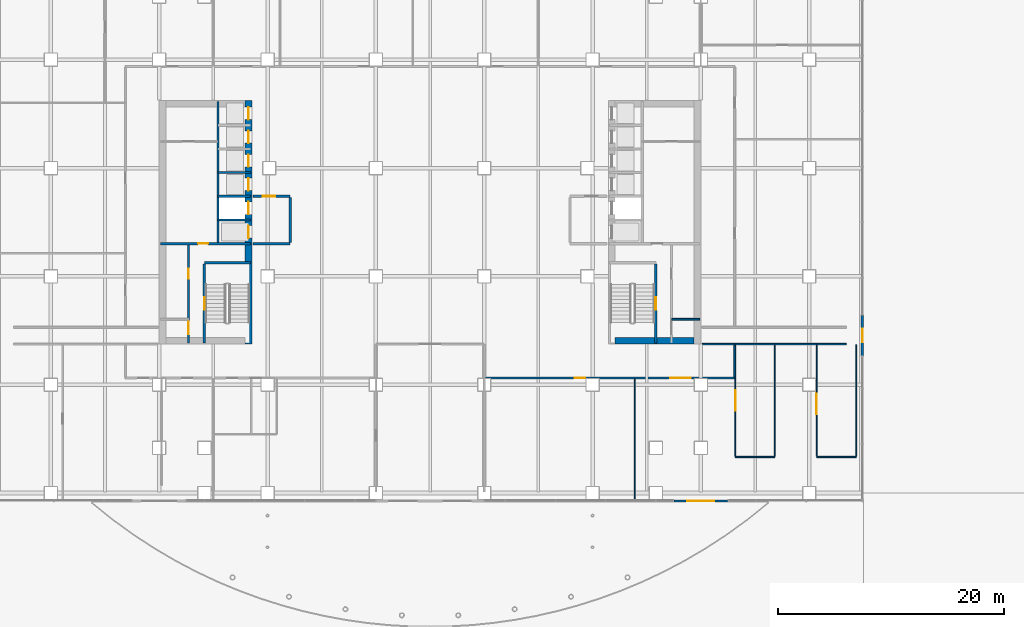
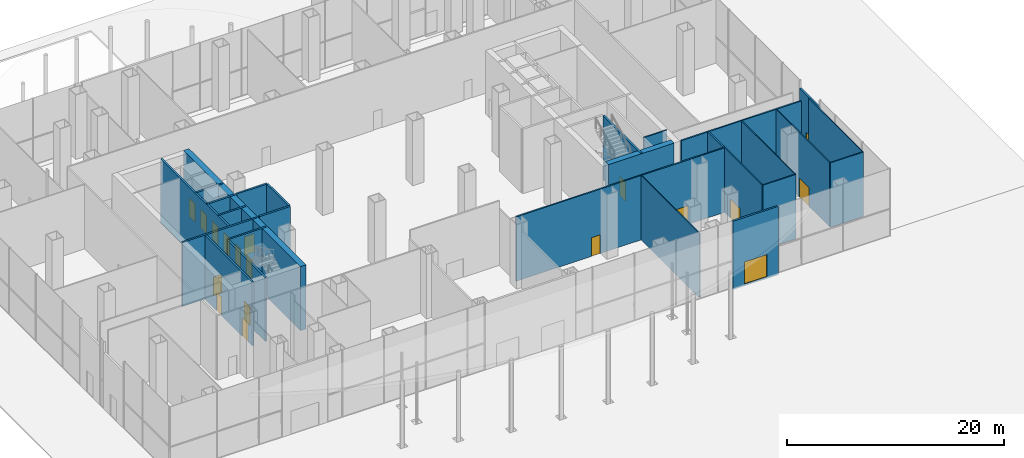
# One storey, part 27 of 36: 27 walls, 18 doors, 18 openings.
"""IFC4 building model written with IfcOpenShell, lengths in metres."""

from ifc_helpers import new_model, si_unit, direction, frame, frame_2d, origin, place, context, subcontext, project, spatial, rectangle, extrude, material, layer, layer_set, type_object, element, fill, save


model = new_model("IFC4")

# Units and contexts
model_context = context("Model", 3, precision=1e-05, world=origin(), true_north=direction((0.0, 1.0)))
body_context = subcontext(model_context, "Body", "Model", "MODEL_VIEW")
ifc_project = project(units=[si_unit("LENGTHUNIT", "METRE"), si_unit("AREAUNIT", "SQUARE_METRE"), si_unit("VOLUMEUNIT", "CUBIC_METRE"), si_unit("PLANEANGLEUNIT", "RADIAN"), si_unit("MASSUNIT", "GRAM", prefix="KILO")], contexts=[model_context])

# Site, building, storey
site_placement = place(None, origin())
site = spatial("IfcSite", under=ifc_project, at=site_placement, CompositionType="ELEMENT")
building_placement = place(site_placement, origin())
building = spatial("IfcBuilding", under=site, at=building_placement, Name="Cobrizo Arcos Hotel Tower", CompositionType="ELEMENT")
storey_placement = place(building_placement, origin())
storey = spatial("IfcBuildingStorey", under=building, at=storey_placement, Name="L00", CompositionType="ELEMENT", Elevation=0.0)

# Wall, openings, doors
ifc_material_1 = material(Name="Gypsum board partition")
ifc_layer_1 = layer(ifc_material_1, 0.14990234375)
ifc_layer_set_1 = layer_set([ifc_layer_1], Name="Corridor wall EI 60 150")
wall_type_1 = type_object("IfcWallType", Name="Corridor wall EI 60 150", PredefinedType="PARTITIONING", material=ifc_layer_set_1)
wall_1_placement = place(storey_placement, frame((4.800048828125, -13.800048828125, 0.0), z_axis=(0.0, 0.0, 1.0), x_axis=(1.0, 0.0, 0.0)))
wall_1 = element("IfcWall", 1, at=wall_1_placement, inside=storey, type_object=wall_type_1, Name="Partition 005", PredefinedType="PARTITIONING", context=body_context, shape_type="SweptSolid", body=[
    extrude(rectangle(XDim=22.199951171875, YDim=0.14990234375, at=frame_2d((11.10009765625, 0.0))), origin(), (0.0, 0.0, 1.0), 7.25),
])
opening_1_placement = place(wall_1_placement, frame((8.035888671875, 0.0, 0.0)))
opening_1 = element("IfcOpeningElement", 2, at=opening_1_placement, cuts=wall_1, Name="Opening RD-12", PredefinedType="OPENING", context=body_context, shape_type="SweptSolid", body=[
    extrude(rectangle(XDim=0.89990234375, YDim=2.10009765625, at=frame_2d((0.449951171875, 1.050048828125))), frame((0.0, 0.0869140625, 0.0), z_axis=(0.0, -1.0, 0.0), x_axis=(1.0, 0.0, 0.0)), (0.0, 0.0, 1.0), 0.173828125),
])
opening_2_placement = place(wall_1_placement, frame((16.5, 0.0, 0.0)))
opening_2 = element("IfcOpeningElement", 3, at=opening_2_placement, cuts=wall_1, Name="Opening DD-04", PredefinedType="OPENING", context=body_context, shape_type="SweptSolid", body=[
    extrude(rectangle(XDim=1.800048828125, YDim=2.10009765625, at=frame_2d((0.89990234375, 1.050048828125))), frame((0.0, 0.0869140625, 0.0), z_axis=(0.0, -1.0, 0.0), x_axis=(1.0, 0.0, 0.0)), (0.0, 0.0, 1.0), 0.173828125),
])
ifc_material_2 = material(Name="Timber door leaf", Category="wood")
door_type_1 = type_object("IfcDoorType", Name="Double door FD30 1800x2100", OperationType="DOUBLE_DOOR_SINGLE_SWING", PredefinedType="DOOR", material=ifc_material_2)
door_1_placement = place(opening_2_placement, origin())
door_1 = element("IfcDoor", 4, at=door_1_placement, inside=storey, type_object=door_type_1, Name="Door DD-04", OperationType="DOUBLE_DOOR_SINGLE_SWING", OverallHeight=2.10009765625, OverallWidth=1.800048828125, PredefinedType="DOOR", context=body_context, shape_type="SweptSolid", body=[
    extrude(rectangle(XDim=1.800048828125, YDim=2.10009765625, at=frame_2d((0.89990234375, 1.050048828125))), frame((0.0, 0.02490234375, 0.0), z_axis=(0.0, -1.0, 0.0), x_axis=(1.0, 0.0, 0.0)), (0.0, 0.0, 1.0), 0.050048828125),
])
fill(opening_2, door_1)
door_type_2 = type_object("IfcDoorType", Name="Room door FD30 900x2100", OperationType="SINGLE_SWING_LEFT", PredefinedType="DOOR", material=ifc_material_2)
door_2_placement = place(opening_1_placement, origin())
door_2 = element("IfcDoor", 5, at=door_2_placement, inside=storey, type_object=door_type_2, Name="Door RD-12", OperationType="SINGLE_SWING_LEFT", OverallHeight=2.10009765625, OverallWidth=0.89990234375, PredefinedType="DOOR", context=body_context, shape_type="SweptSolid", body=[
    extrude(rectangle(XDim=0.89990234375, YDim=2.10009765625, at=frame_2d((0.449951171875, 1.050048828125))), frame((0.0, 0.02490234375, 0.0), z_axis=(0.0, -1.0, 0.0), x_axis=(1.0, 0.0, 0.0)), (0.0, 0.0, 1.0), 0.050048828125),
])
fill(opening_1, door_2)

# Walls
wall_2_placement = place(storey_placement, frame((24.1201171875, -10.800048828125, 0.0), z_axis=(0.0, 0.0, 1.0), x_axis=(1.0, 0.0, 0.0)))
element("IfcWall", 6, at=wall_2_placement, inside=storey, type_object=wall_type_1, Name="Partition 008", PredefinedType="PARTITIONING", context=body_context, shape_type="SweptSolid", body=[
    extrude(rectangle(XDim=12.77978515625, YDim=0.14990234375, at=frame_2d((6.389892578125, 0.0))), origin(), (0.0, 0.0, 1.0), 7.25),
])
wall_3_placement = place(storey_placement, frame((21.39990234375, -8.60009765625, 0.0), z_axis=(0.0, 0.0, 1.0), x_axis=(1.0, 0.0, 0.0)))
element("IfcWall", 7, at=wall_3_placement, inside=storey, type_object=wall_type_1, Name="Partition 012", PredefinedType="PARTITIONING", context=body_context, shape_type="SweptSolid", body=[
    extrude(rectangle(XDim=2.47998046875, YDim=0.14990234375, at=frame_2d((1.239990234375, 0.0))), origin(), (0.0, 0.0, 1.0), 7.199951171875),
])
wall_4_placement = place(storey_placement, frame((27.0, -13.72509765625, 0.0), z_axis=(0.0, 0.0, 1.0), x_axis=(0.0, 1.0, 0.0)))
element("IfcWall", 8, at=wall_4_placement, inside=storey, type_object=wall_type_1, Name="Partition 079", PredefinedType="PARTITIONING", context=body_context, shape_type="SweptSolid", body=[
    extrude(rectangle(XDim=2.85009765625, YDim=0.14990234375, at=frame_2d((1.425048828125, 0.0))), origin(), (0.0, 0.0, 1.0), 7.25),
])

# Wall, opening, door
ifc_material_3 = material(Name="Aluminium 6063-T6 anodised pale", Category="aluminium")
ifc_layer_2 = layer(ifc_material_3, 0.199951171875)
ifc_layer_set_2 = layer_set([ifc_layer_2], Name="EW-2 shopfront wall")
wall_type_2 = type_object("IfcWallType", Name="EW-2 shopfront wall", PredefinedType="SOLIDWALL", material=ifc_layer_set_2)
wall_5_placement = place(storey_placement, frame((38.300048828125, -8.25, 0.0), z_axis=(0.0, 0.0, 1.0), x_axis=(0.0, -1.0, 0.0)))
wall_5 = element("IfcWall", 9, at=wall_5_placement, inside=storey, type_object=wall_type_2, Name="Entrance wall L00 E", PredefinedType="SOLIDWALL", context=body_context, shape_type="SweptSolid", body=[
    extrude(rectangle(XDim=3.60009765625, YDim=0.199951171875, at=frame_2d((1.800048828125, 0.0))), origin(), (0.0, 0.0, 1.0), 6.627685546875),
])
opening_3_placement = place(wall_5_placement, frame((1.199951171875, 0.0, 0.0)))
opening_3 = element("IfcOpeningElement", 10, at=opening_3_placement, cuts=wall_5, Name="Opening E-01", PredefinedType="OPENING", context=body_context, shape_type="SweptSolid", body=[
    extrude(rectangle(XDim=1.199951171875, YDim=2.39990234375, at=frame_2d((0.60009765625, 1.199951171875))), frame((0.0, 0.112060546875, 0.0), z_axis=(0.0, -1.0, 0.0), x_axis=(1.0, 0.0, 0.0)), (0.0, 0.0, 1.0), 0.223876953125),
])
ifc_material_4 = material(Name="Aluminium 6063-T6 and clear laminated glass", Category="aluminium")
door_type_3 = type_object("IfcDoorType", Name="D-X1 stair discharge door 1200x2400", OperationType="SINGLE_SWING_LEFT", PredefinedType="DOOR", material=ifc_material_4)
door_3_placement = place(opening_3_placement, origin())
door_3 = element("IfcDoor", 11, at=door_3_placement, inside=storey, type_object=door_type_3, Name="Entrance wall L00 E door E-01", OperationType="SINGLE_SWING_LEFT", OverallHeight=2.39990234375, OverallWidth=1.199951171875, PredefinedType="DOOR", context=body_context, shape_type="SweptSolid", body=[
    extrude(rectangle(XDim=1.199951171875, YDim=2.39990234375, at=frame_2d((0.60009765625, 1.199951171875))), frame((0.0, 0.02490234375, 0.0), z_axis=(0.0, -1.0, 0.0), x_axis=(1.0, 0.0, 0.0)), (0.0, 0.0, 1.0), 0.050048828125),
])
fill(opening_3, door_3)

wall_6_placement = place(storey_placement, frame((21.60009765625, -24.699951171875, -0.199951171875), z_axis=(0.0, 0.0, 1.0), x_axis=(1.0, 0.0, 0.0)))
wall_6 = element("IfcWall", 12, at=wall_6_placement, inside=storey, type_object=wall_type_2, Name="Entrance wall L00 S", PredefinedType="SOLIDWALL", context=body_context, shape_type="SweptSolid", body=[
    extrude(rectangle(XDim=4.7998046875, YDim=0.199951171875, at=frame_2d((2.39990234375, 0.0))), origin(), (0.0, 0.0, 1.0), 7.699951171875),
])
opening_4_placement = place(wall_6_placement, frame((1.199951171875, 0.0, 0.199951171875)))
opening_4 = element("IfcOpeningElement", 13, at=opening_4_placement, cuts=wall_6, Name="Opening E-12", PredefinedType="OPENING", context=body_context, shape_type="SweptSolid", body=[
    extrude(rectangle(XDim=2.39990234375, YDim=2.5, at=frame_2d((1.199951171875, 1.25))), frame((0.0, 0.112060546875, 0.0), z_axis=(0.0, -1.0, 0.0), x_axis=(1.0, 0.0, 0.0)), (0.0, 0.0, 1.0), 0.223876953125),
])
door_type_4 = type_object("IfcDoorType", Name="D-E1 entrance double door 2400x2500", OperationType="DOUBLE_DOOR_DOUBLE_SWING", PredefinedType="DOOR", material=ifc_material_4)
door_4_placement = place(opening_4_placement, origin())
door_4 = element("IfcDoor", 14, at=door_4_placement, inside=storey, type_object=door_type_4, Name="Entrance wall L00 S door E-12", OperationType="DOUBLE_DOOR_DOUBLE_SWING", OverallHeight=2.5, OverallWidth=2.39990234375, PredefinedType="DOOR", context=body_context, shape_type="SweptSolid", body=[
    extrude(rectangle(XDim=2.39990234375, YDim=2.5, at=frame_2d((1.199951171875, 1.25))), frame((0.0, 0.02490234375, 0.0), z_axis=(0.0, -1.0, 0.0), x_axis=(1.0, 0.0, 0.0)), (0.0, 0.0, 1.0), 0.050048828125),
])
fill(opening_4, door_4)

# Walls
ifc_layer_3 = layer(ifc_material_1, 0.10009765625)
ifc_layer_set_3 = layer_set([ifc_layer_3], Name="Partition EI 30 100")
wall_type_3 = type_object("IfcWallType", Name="Partition EI 30 100", PredefinedType="PARTITIONING", material=ifc_layer_set_3)
for number, where, z_axis, x_axis, name in (
    (15, (27.050048828125, -20.800048828125, 0.0), (0.0, 0.0, 1.0), (1.0, 0.0, 0.0), "Partition 001"),
    (16, (34.25, -20.800048828125, 0.0), (0.0, 0.0, 1.0), (1.0, 0.0, 0.0), "Partition 002"),
):
    element("IfcWall", number, at=place(storey_placement, frame(where, z_axis=z_axis, x_axis=x_axis)), inside=storey, type_object=wall_type_3, Name=name, PredefinedType="PARTITIONING", context=body_context, shape_type="SweptSolid", body=[
        extrude(rectangle(XDim=3.5, YDim=0.10009765625, at=frame_2d((1.75, 0.0))), origin(), (0.0, 0.0, 1.0), 7.25),
    ])
wall_7_placement = place(storey_placement, frame((18.14990234375, -24.6298828125, 0.0), z_axis=(0.0, 0.0, 1.0), x_axis=(0.0, 1.0, 0.0)))
element("IfcWall", 17, at=wall_7_placement, inside=storey, type_object=wall_type_3, Name="Partition 071", PredefinedType="PARTITIONING", context=body_context, shape_type="SweptSolid", body=[
    extrude(rectangle(XDim=10.7548828125, YDim=0.10009765625, at=frame_2d((5.37744140625, 0.0))), origin(), (0.0, 0.0, 1.0), 7.25),
])

# Wall, opening, door
wall_8_placement = place(storey_placement, frame((27.050048828125, -20.75, 0.0), z_axis=(0.0, 0.0, 1.0), x_axis=(0.0, 1.0, 0.0)))
wall_8 = element("IfcWall", 18, at=wall_8_placement, inside=storey, type_object=wall_type_3, Name="Partition 081", PredefinedType="PARTITIONING", context=body_context, shape_type="SweptSolid", body=[
    extrude(rectangle(XDim=9.875, YDim=0.10009765625, at=frame_2d((4.9375, 0.0))), origin(), (0.0, 0.0, 1.0), 7.25),
])
opening_5_placement = place(wall_8_placement, frame((4.050048828125, 0.0, 0.0)))
opening_5 = element("IfcOpeningElement", 19, at=opening_5_placement, cuts=wall_8, Name="Opening DD-02", PredefinedType="OPENING", context=body_context, shape_type="SweptSolid", body=[
    extrude(rectangle(XDim=1.800048828125, YDim=2.10009765625, at=frame_2d((0.89990234375, 1.050048828125))), frame((0.0, 0.06201171875, 0.0), z_axis=(0.0, -1.0, 0.0), x_axis=(1.0, 0.0, 0.0)), (0.0, 0.0, 1.0), 0.1240234375),
])
door_5_placement = place(opening_5_placement, origin())
door_5 = element("IfcDoor", 20, at=door_5_placement, inside=storey, type_object=door_type_1, Name="Door DD-02", OperationType="DOUBLE_DOOR_SINGLE_SWING", OverallHeight=2.10009765625, OverallWidth=1.800048828125, PredefinedType="DOOR", context=body_context, shape_type="SweptSolid", body=[
    extrude(rectangle(XDim=1.800048828125, YDim=2.10009765625, at=frame_2d((0.89990234375, 1.050048828125))), frame((0.0, 0.02490234375, 0.0), z_axis=(0.0, -1.0, 0.0), x_axis=(1.0, 0.0, 0.0)), (0.0, 0.0, 1.0), 0.050048828125),
])
fill(opening_5, door_5)

# Wall
wall_9_placement = place(storey_placement, frame((30.550048828125, -20.75, 0.0), z_axis=(0.0, 0.0, 1.0), x_axis=(0.0, 1.0, 0.0)))
element("IfcWall", 21, at=wall_9_placement, inside=storey, type_object=wall_type_3, Name="Partition 082", PredefinedType="PARTITIONING", context=body_context, shape_type="SweptSolid", body=[
    extrude(rectangle(XDim=9.875, YDim=0.10009765625, at=frame_2d((4.9375, 0.0))), origin(), (0.0, 0.0, 1.0), 7.25),
])

# Wall, opening, door
wall_10_placement = place(storey_placement, frame((34.25, -20.75, 0.0), z_axis=(0.0, 0.0, 1.0), x_axis=(0.0, 1.0, 0.0)))
wall_10 = element("IfcWall", 22, at=wall_10_placement, inside=storey, type_object=wall_type_3, Name="Partition 083", PredefinedType="PARTITIONING", context=body_context, shape_type="SweptSolid", body=[
    extrude(rectangle(XDim=9.875, YDim=0.10009765625, at=frame_2d((4.9375, 0.0))), origin(), (0.0, 0.0, 1.0), 7.25),
])
opening_6_placement = place(wall_10_placement, frame((3.75, 0.0, 0.0)))
opening_6 = element("IfcOpeningElement", 23, at=opening_6_placement, cuts=wall_10, Name="Opening DD-03", PredefinedType="OPENING", context=body_context, shape_type="SweptSolid", body=[
    extrude(rectangle(XDim=1.800048828125, YDim=2.10009765625, at=frame_2d((0.89990234375, 1.050048828125))), frame((0.0, 0.06201171875, 0.0), z_axis=(0.0, -1.0, 0.0), x_axis=(1.0, 0.0, 0.0)), (0.0, 0.0, 1.0), 0.1240234375),
])
door_6_placement = place(opening_6_placement, origin())
door_6 = element("IfcDoor", 24, at=door_6_placement, inside=storey, type_object=door_type_1, Name="Door DD-03", OperationType="DOUBLE_DOOR_SINGLE_SWING", OverallHeight=2.10009765625, OverallWidth=1.800048828125, PredefinedType="DOOR", context=body_context, shape_type="SweptSolid", body=[
    extrude(rectangle(XDim=1.800048828125, YDim=2.10009765625, at=frame_2d((0.89990234375, 1.050048828125))), frame((0.0, 0.02490234375, 0.0), z_axis=(0.0, -1.0, 0.0), x_axis=(1.0, 0.0, 0.0)), (0.0, 0.0, 1.0), 0.050048828125),
])
fill(opening_6, door_6)

# Walls
wall_11_placement = place(storey_placement, frame((37.75, -20.75, 0.0), z_axis=(0.0, 0.0, 1.0), x_axis=(0.0, 1.0, 0.0)))
element("IfcWall", 25, at=wall_11_placement, inside=storey, type_object=wall_type_3, Name="Partition 084", PredefinedType="PARTITIONING", context=body_context, shape_type="SweptSolid", body=[
    extrude(rectangle(XDim=9.89990234375, YDim=0.10009765625, at=frame_2d((4.949951171875, 0.0))), origin(), (0.0, 0.0, 1.0), 7.25),
])
ifc_material_5 = material(Name="Concrete f'c 60 MPa", Category="concrete")
ifc_layer_4 = layer(ifc_material_5, 0.60009765625)
ifc_layer_set_4 = layer_set([ifc_layer_4], Name="RC core wall 600 f'c 60")
wall_type_4 = type_object("IfcWallType", Name="RC core wall 600 f'c 60", PredefinedType="SHEAR", material=ifc_layer_set_4)
wall_12_placement = place(storey_placement, frame((16.39990234375, -10.5, 0.0), z_axis=(0.0, 0.0, 1.0), x_axis=(1.0, 0.0, 0.0)))
element("IfcWall", 26, at=wall_12_placement, inside=storey, type_object=wall_type_4, Name="Core wall CW1, east core, south end, L00", PredefinedType="SHEAR", context=body_context, shape_type="SweptSolid", body=[
    extrude(rectangle(XDim=7.0, YDim=0.60009765625, at=frame_2d((3.5, 0.0))), origin(), (0.0, 0.0, 1.0), 7.199951171875),
])

# Wall, openings, doors
wall_13_placement = place(storey_placement, frame((-16.10009765625, -10.800048828125, 0.0), z_axis=(0.0, 0.0, 1.0), x_axis=(0.0, 1.0, 0.0)))
wall_13 = element("IfcWall", 27, at=wall_13_placement, inside=storey, type_object=wall_type_4, Name="Core wall CW1, west core, inner face, L00", PredefinedType="SHEAR", context=body_context, shape_type="SweptSolid", body=[
    extrude(rectangle(XDim=21.60009765625, YDim=0.60009765625, at=frame_2d((10.800048828125, 0.0))), origin(), (0.0, 0.0, 1.0), 7.199951171875),
])
opening_7_placement = place(wall_13_placement, frame((9.39990234375, 0.0, 0.0)))
opening_7 = element("IfcOpeningElement", 28, at=opening_7_placement, cuts=wall_13, Name="Opening LD-01", PredefinedType="OPENING", context=body_context, shape_type="SweptSolid", body=[
    extrude(rectangle(XDim=1.10009765625, YDim=2.10009765625, at=frame_2d((0.550048828125, 1.050048828125))), frame((0.0, 0.31201171875, 0.0), z_axis=(0.0, -1.0, 0.0), x_axis=(1.0, 0.0, 0.0)), (0.0, 0.0, 1.0), 0.6240234375),
])
opening_8_placement = place(wall_13_placement, frame((11.5, 0.0, 0.0)))
opening_8 = element("IfcOpeningElement", 29, at=opening_8_placement, cuts=wall_13, Name="Opening LD-02", PredefinedType="OPENING", context=body_context, shape_type="SweptSolid", body=[
    extrude(rectangle(XDim=1.10009765625, YDim=2.10009765625, at=frame_2d((0.550048828125, 1.050048828125))), frame((0.0, 0.31201171875, 0.0), z_axis=(0.0, -1.0, 0.0), x_axis=(1.0, 0.0, 0.0)), (0.0, 0.0, 1.0), 0.6240234375),
])
opening_9_placement = place(wall_13_placement, frame((13.60009765625, 0.0, 0.0)))
opening_9 = element("IfcOpeningElement", 30, at=opening_9_placement, cuts=wall_13, Name="Opening LD-03", PredefinedType="OPENING", context=body_context, shape_type="SweptSolid", body=[
    extrude(rectangle(XDim=1.10009765625, YDim=2.10009765625, at=frame_2d((0.550048828125, 1.050048828125))), frame((0.0, 0.31201171875, 0.0), z_axis=(0.0, -1.0, 0.0), x_axis=(1.0, 0.0, 0.0)), (0.0, 0.0, 1.0), 0.6240234375),
])
opening_10_placement = place(wall_13_placement, frame((15.699951171875, 0.0, 0.0)))
opening_10 = element("IfcOpeningElement", 31, at=opening_10_placement, cuts=wall_13, Name="Opening LD-04", PredefinedType="OPENING", context=body_context, shape_type="SweptSolid", body=[
    extrude(rectangle(XDim=1.10009765625, YDim=2.10009765625, at=frame_2d((0.550048828125, 1.050048828125))), frame((0.0, 0.31201171875, 0.0), z_axis=(0.0, -1.0, 0.0), x_axis=(1.0, 0.0, 0.0)), (0.0, 0.0, 1.0), 0.6240234375),
])
opening_11_placement = place(wall_13_placement, frame((17.800048828125, 0.0, 0.0)))
opening_11 = element("IfcOpeningElement", 32, at=opening_11_placement, cuts=wall_13, Name="Opening LD-05", PredefinedType="OPENING", context=body_context, shape_type="SweptSolid", body=[
    extrude(rectangle(XDim=1.10009765625, YDim=2.10009765625, at=frame_2d((0.550048828125, 1.050048828125))), frame((0.0, 0.31201171875, 0.0), z_axis=(0.0, -1.0, 0.0), x_axis=(1.0, 0.0, 0.0)), (0.0, 0.0, 1.0), 0.6240234375),
])
opening_12_placement = place(wall_13_placement, frame((19.89990234375, 0.0, 0.0)))
opening_12 = element("IfcOpeningElement", 33, at=opening_12_placement, cuts=wall_13, Name="Opening LD-06", PredefinedType="OPENING", context=body_context, shape_type="SweptSolid", body=[
    extrude(rectangle(XDim=1.10009765625, YDim=2.10009765625, at=frame_2d((0.550048828125, 1.050048828125))), frame((0.0, 0.31201171875, 0.0), z_axis=(0.0, -1.0, 0.0), x_axis=(1.0, 0.0, 0.0)), (0.0, 0.0, 1.0), 0.6240234375),
])
ifc_material_6 = material(Name="Steel door leaf", Category="steel")
door_type_5 = type_object("IfcDoorType", Name="Lift landing door 1100x2100", OperationType="SLIDING_TO_LEFT", PredefinedType="DOOR", material=ifc_material_6)
door_7_placement = place(opening_7_placement, origin())
door_7 = element("IfcDoor", 34, at=door_7_placement, inside=storey, type_object=door_type_5, Name="Lift landing door LD-01", OperationType="SLIDING_TO_LEFT", OverallHeight=2.10009765625, OverallWidth=1.10009765625, PredefinedType="DOOR", context=body_context, shape_type="SweptSolid", body=[
    extrude(rectangle(XDim=1.10009765625, YDim=2.10009765625, at=frame_2d((0.550048828125, 1.050048828125))), frame((0.0, 0.02490234375, 0.0), z_axis=(0.0, -1.0, 0.0), x_axis=(1.0, 0.0, 0.0)), (0.0, 0.0, 1.0), 0.050048828125),
])
fill(opening_7, door_7)
door_8_placement = place(opening_8_placement, origin())
door_8 = element("IfcDoor", 35, at=door_8_placement, inside=storey, type_object=door_type_5, Name="Lift landing door LD-02", OperationType="SLIDING_TO_LEFT", OverallHeight=2.10009765625, OverallWidth=1.10009765625, PredefinedType="DOOR", context=body_context, shape_type="SweptSolid", body=[
    extrude(rectangle(XDim=1.10009765625, YDim=2.10009765625, at=frame_2d((0.550048828125, 1.050048828125))), frame((0.0, 0.02490234375, 0.0), z_axis=(0.0, -1.0, 0.0), x_axis=(1.0, 0.0, 0.0)), (0.0, 0.0, 1.0), 0.050048828125),
])
fill(opening_8, door_8)
door_9_placement = place(opening_9_placement, origin())
door_9 = element("IfcDoor", 36, at=door_9_placement, inside=storey, type_object=door_type_5, Name="Lift landing door LD-03", OperationType="SLIDING_TO_LEFT", OverallHeight=2.10009765625, OverallWidth=1.10009765625, PredefinedType="DOOR", context=body_context, shape_type="SweptSolid", body=[
    extrude(rectangle(XDim=1.10009765625, YDim=2.10009765625, at=frame_2d((0.550048828125, 1.050048828125))), frame((0.0, 0.02490234375, 0.0), z_axis=(0.0, -1.0, 0.0), x_axis=(1.0, 0.0, 0.0)), (0.0, 0.0, 1.0), 0.050048828125),
])
fill(opening_9, door_9)
door_10_placement = place(opening_10_placement, origin())
door_10 = element("IfcDoor", 37, at=door_10_placement, inside=storey, type_object=door_type_5, Name="Lift landing door LD-04", OperationType="SLIDING_TO_LEFT", OverallHeight=2.10009765625, OverallWidth=1.10009765625, PredefinedType="DOOR", context=body_context, shape_type="SweptSolid", body=[
    extrude(rectangle(XDim=1.10009765625, YDim=2.10009765625, at=frame_2d((0.550048828125, 1.050048828125))), frame((0.0, 0.02490234375, 0.0), z_axis=(0.0, -1.0, 0.0), x_axis=(1.0, 0.0, 0.0)), (0.0, 0.0, 1.0), 0.050048828125),
])
fill(opening_10, door_10)
door_11_placement = place(opening_11_placement, origin())
door_11 = element("IfcDoor", 38, at=door_11_placement, inside=storey, type_object=door_type_5, Name="Lift landing door LD-05", OperationType="SLIDING_TO_LEFT", OverallHeight=2.10009765625, OverallWidth=1.10009765625, PredefinedType="DOOR", context=body_context, shape_type="SweptSolid", body=[
    extrude(rectangle(XDim=1.10009765625, YDim=2.10009765625, at=frame_2d((0.550048828125, 1.050048828125))), frame((0.0, 0.02490234375, 0.0), z_axis=(0.0, -1.0, 0.0), x_axis=(1.0, 0.0, 0.0)), (0.0, 0.0, 1.0), 0.050048828125),
])
fill(opening_11, door_11)
door_12_placement = place(opening_12_placement, origin())
door_12 = element("IfcDoor", 39, at=door_12_placement, inside=storey, type_object=door_type_5, Name="Lift landing door LD-06", OperationType="SLIDING_TO_LEFT", OverallHeight=2.10009765625, OverallWidth=1.10009765625, PredefinedType="DOOR", context=body_context, shape_type="SweptSolid", body=[
    extrude(rectangle(XDim=1.10009765625, YDim=2.10009765625, at=frame_2d((0.550048828125, 1.050048828125))), frame((0.0, 0.02490234375, 0.0), z_axis=(0.0, -1.0, 0.0), x_axis=(1.0, 0.0, 0.0)), (0.0, 0.0, 1.0), 0.050048828125),
])
fill(opening_12, door_12)

# Wall, opening, door
ifc_layer_5 = layer(ifc_material_1, 0.199951171875)
ifc_layer_set_5 = layer_set([ifc_layer_5], Name="Shaft wall EI 120 200")
wall_type_5 = type_object("IfcWallType", Name="Shaft wall EI 120 200", PredefinedType="PARTITIONING", material=ifc_layer_set_5)
wall_14_placement = place(storey_placement, frame((-23.8798828125, -1.89990234375, 0.0), z_axis=(0.0, 0.0, 1.0), x_axis=(1.0, 0.0, 0.0)))
wall_14 = element("IfcWall", 40, at=wall_14_placement, inside=storey, type_object=wall_type_5, Name="Partition 016", PredefinedType="PARTITIONING", context=body_context, shape_type="SweptSolid", body=[
    extrude(rectangle(XDim=7.9599609375, YDim=0.199951171875, at=frame_2d((3.97998046875, 0.0))), origin(), (0.0, 0.0, 1.0), 7.199951171875),
])
opening_13_placement = place(wall_14_placement, frame((3.320068359375, 0.0, 0.0)))
opening_13 = element("IfcOpeningElement", 41, at=opening_13_placement, cuts=wall_14, Name="Opening RD-01", PredefinedType="OPENING", context=body_context, shape_type="SweptSolid", body=[
    extrude(rectangle(XDim=0.89990234375, YDim=2.10009765625, at=frame_2d((0.449951171875, 1.050048828125))), frame((0.0, 0.112060546875, 0.0), z_axis=(0.0, -1.0, 0.0), x_axis=(1.0, 0.0, 0.0)), (0.0, 0.0, 1.0), 0.223876953125),
])
door_13_placement = place(opening_13_placement, origin())
door_13 = element("IfcDoor", 42, at=door_13_placement, inside=storey, type_object=door_type_2, Name="Door RD-01", OperationType="SINGLE_SWING_RIGHT", OverallHeight=2.10009765625, OverallWidth=0.89990234375, PredefinedType="DOOR", context=body_context, shape_type="SweptSolid", body=[
    extrude(rectangle(XDim=0.89990234375, YDim=2.10009765625, at=frame_2d((0.449951171875, 1.050048828125))), frame((0.0, 0.02490234375, 0.0), z_axis=(0.0, -1.0, 0.0), x_axis=(1.0, 0.0, 0.0)), (0.0, 0.0, 1.0), 0.050048828125),
])
fill(opening_13, door_13)

# Walls
wall_15_placement = place(storey_placement, frame((-15.679931640625, -1.89990234375, 0.0), z_axis=(0.0, 0.0, 1.0), x_axis=(1.0, 0.0, 0.0)))
element("IfcWall", 43, at=wall_15_placement, inside=storey, type_object=wall_type_5, Name="Partition 017", PredefinedType="PARTITIONING", context=body_context, shape_type="SweptSolid", body=[
    extrude(rectangle(XDim=3.280029296875, YDim=0.199951171875, at=frame_2d((1.64013671875, 0.0))), origin(), (0.0, 0.0, 1.0), 7.25),
])
for number, where, z_axis, x_axis, name in (
    (44, (-18.800048828125, 0.199951171875, 0.0), (0.0, 0.0, 1.0), (1.0, 0.0, 0.0), "Partition 020"),
    (45, (-18.800048828125, 2.300048828125, 0.0), (0.0, 0.0, 1.0), (1.0, 0.0, 0.0), "Partition 022"),
):
    element("IfcWall", number, at=place(storey_placement, frame(where, z_axis=z_axis, x_axis=x_axis)), inside=storey, type_object=wall_type_5, Name=name, PredefinedType="PARTITIONING", context=body_context, shape_type="SweptSolid", body=[
        extrude(rectangle(XDim=2.880126953125, YDim=0.199951171875, at=frame_2d((1.43994140625, 0.0))), origin(), (0.0, 0.0, 1.0), 7.199951171875),
    ])

# Wall, opening, door
wall_16_placement = place(storey_placement, frame((-15.679931640625, 2.300048828125, 0.0), z_axis=(0.0, 0.0, 1.0), x_axis=(1.0, 0.0, 0.0)))
wall_16 = element("IfcWall", 46, at=wall_16_placement, inside=storey, type_object=wall_type_5, Name="Partition 023", PredefinedType="PARTITIONING", context=body_context, shape_type="SweptSolid", body=[
    extrude(rectangle(XDim=3.280029296875, YDim=0.199951171875, at=frame_2d((1.64013671875, 0.0))), origin(), (0.0, 0.0, 1.0), 7.25),
])
opening_14_placement = place(wall_16_placement, frame((0.840087890625, 0.0, 0.0)))
opening_14 = element("IfcOpeningElement", 47, at=opening_14_placement, cuts=wall_16, Name="Opening FD-01", PredefinedType="OPENING", context=body_context, shape_type="SweptSolid", body=[
    extrude(rectangle(XDim=1.10009765625, YDim=2.10009765625, at=frame_2d((0.550048828125, 1.050048828125))), frame((0.0, 0.112060546875, 0.0), z_axis=(0.0, -1.0, 0.0), x_axis=(1.0, 0.0, 0.0)), (0.0, 0.0, 1.0), 0.223876953125),
])
door_type_6 = type_object("IfcDoorType", Name="Fire door FD60 1100x2100", OperationType="SINGLE_SWING_LEFT", PredefinedType="DOOR", material=ifc_material_6)
door_14_placement = place(opening_14_placement, origin())
door_14 = element("IfcDoor", 48, at=door_14_placement, inside=storey, type_object=door_type_6, Name="Door FD-01", OperationType="SINGLE_SWING_LEFT", OverallHeight=2.10009765625, OverallWidth=1.10009765625, PredefinedType="DOOR", context=body_context, shape_type="SweptSolid", body=[
    extrude(rectangle(XDim=1.10009765625, YDim=2.10009765625, at=frame_2d((0.550048828125, 1.050048828125))), frame((0.0, 0.02490234375, 0.0), z_axis=(0.0, -1.0, 0.0), x_axis=(1.0, 0.0, 0.0)), (0.0, 0.0, 1.0), 0.050048828125),
])
fill(opening_14, door_14)

# Wall
wall_17_placement = place(storey_placement, frame((-18.800048828125, 4.39990234375, 0.0), z_axis=(0.0, 0.0, 1.0), x_axis=(1.0, 0.0, 0.0)))
element("IfcWall", 49, at=wall_17_placement, inside=storey, type_object=wall_type_5, Name="Partition 026", PredefinedType="PARTITIONING", context=body_context, shape_type="SweptSolid", body=[
    extrude(rectangle(XDim=2.880126953125, YDim=0.199951171875, at=frame_2d((1.43994140625, 0.0))), origin(), (0.0, 0.0, 1.0), 7.199951171875),
])

# Wall, openings, doors
wall_18_placement = place(storey_placement, frame((-21.39990234375, -10.679931640625, 0.0), z_axis=(0.0, 0.0, 1.0), x_axis=(0.0, 1.0, 0.0)))
wall_18 = element("IfcWall", 50, at=wall_18_placement, inside=storey, type_object=wall_type_5, Name="Partition 048", PredefinedType="PARTITIONING", context=body_context, shape_type="SweptSolid", body=[
    extrude(rectangle(XDim=8.679931640625, YDim=0.199951171875, at=frame_2d((4.33984375, 0.0))), origin(), (0.0, 0.0, 1.0), 7.199951171875),
])
opening_15_placement = place(wall_18_placement, frame((5.659912109375, 0.0, 0.0)))
opening_15 = element("IfcOpeningElement", 51, at=opening_15_placement, cuts=wall_18, Name="Opening ED-01", PredefinedType="OPENING", context=body_context, shape_type="SweptSolid", body=[
    extrude(rectangle(XDim=0.89990234375, YDim=2.10009765625, at=frame_2d((0.449951171875, 1.050048828125))), frame((0.0, 0.112060546875, 0.0), z_axis=(0.0, -1.0, 0.0), x_axis=(1.0, 0.0, 0.0)), (0.0, 0.0, 1.0), 0.223876953125),
])
opening_16_placement = place(wall_18_placement, frame((0.739990234375, 0.0, 0.0)))
opening_16 = element("IfcOpeningElement", 52, at=opening_16_placement, cuts=wall_18, Name="Opening FD-04", PredefinedType="OPENING", context=body_context, shape_type="SweptSolid", body=[
    extrude(rectangle(XDim=1.10009765625, YDim=2.10009765625, at=frame_2d((0.550048828125, 1.050048828125))), frame((0.0, 0.112060546875, 0.0), z_axis=(0.0, -1.0, 0.0), x_axis=(1.0, 0.0, 0.0)), (0.0, 0.0, 1.0), 0.223876953125),
])
door_type_7 = type_object("IfcDoorType", Name="En-suite door 900x2100", OperationType="SINGLE_SWING_LEFT", PredefinedType="DOOR", material=ifc_material_2)
door_15_placement = place(opening_15_placement, origin())
door_15 = element("IfcDoor", 53, at=door_15_placement, inside=storey, type_object=door_type_7, Name="Door ED-01", OperationType="SINGLE_SWING_RIGHT", OverallHeight=2.10009765625, OverallWidth=0.89990234375, PredefinedType="DOOR", context=body_context, shape_type="SweptSolid", body=[
    extrude(rectangle(XDim=0.89990234375, YDim=2.10009765625, at=frame_2d((0.449951171875, 1.050048828125))), frame((0.0, 0.02490234375, 0.0), z_axis=(0.0, -1.0, 0.0), x_axis=(1.0, 0.0, 0.0)), (0.0, 0.0, 1.0), 0.050048828125),
])
fill(opening_15, door_15)
door_16_placement = place(opening_16_placement, origin())
door_16 = element("IfcDoor", 54, at=door_16_placement, inside=storey, type_object=door_type_6, Name="Door FD-04", OperationType="SINGLE_SWING_LEFT", OverallHeight=2.10009765625, OverallWidth=1.10009765625, PredefinedType="DOOR", context=body_context, shape_type="SweptSolid", body=[
    extrude(rectangle(XDim=1.10009765625, YDim=2.10009765625, at=frame_2d((0.550048828125, 1.050048828125))), frame((0.0, 0.02490234375, 0.0), z_axis=(0.0, -1.0, 0.0), x_axis=(1.0, 0.0, 0.0)), (0.0, 0.0, 1.0), 0.050048828125),
])
fill(opening_16, door_16)

# Walls
wall_19_placement = place(storey_placement, frame((-18.800048828125, -1.800048828125, 0.0), z_axis=(0.0, 0.0, 1.0), x_axis=(0.0, 1.0, 0.0)))
element("IfcWall", 55, at=wall_19_placement, inside=storey, type_object=wall_type_5, Name="Partition 054", PredefinedType="PARTITIONING", context=body_context, shape_type="SweptSolid", body=[
    extrude(rectangle(XDim=12.47998046875, YDim=0.199951171875, at=frame_2d((6.239990234375, 0.0))), origin(), (0.0, 0.0, 1.0), 7.199951171875),
])
wall_20_placement = place(storey_placement, frame((-12.39990234375, -1.800048828125, 0.0), z_axis=(0.0, 0.0, 1.0), x_axis=(0.0, 1.0, 0.0)))
element("IfcWall", 56, at=wall_20_placement, inside=storey, type_object=wall_type_5, Name="Partition 058", PredefinedType="PARTITIONING", context=body_context, shape_type="SweptSolid", body=[
    extrude(rectangle(XDim=4.0, YDim=0.199951171875, at=frame_2d((2.0, 0.0))), origin(), (0.0, 0.0, 1.0), 7.25),
])
ifc_material_7 = material(Name="Concrete f'c 40 MPa", Category="concrete")
ifc_layer_6 = layer(ifc_material_7, 0.199951171875)
ifc_layer_set_6 = layer_set([ifc_layer_6], Name="Stair shaft wall 200")
wall_type_6 = type_object("IfcWallType", Name="Stair shaft wall 200", PredefinedType="SHEAR", material=ifc_layer_set_6)
wall_21_placement = place(storey_placement, frame((-20.0, -3.60009765625, 0.0), z_axis=(0.0, 0.0, 1.0), x_axis=(1.0, 0.0, 0.0)))
element("IfcWall", 57, at=wall_21_placement, inside=storey, type_object=wall_type_6, Name="Stair shaft wall W", PredefinedType="SHEAR", context=body_context, shape_type="SweptSolid", body=[
    extrude(rectangle(XDim=4.080078125, YDim=0.199951171875, at=frame_2d((2.0400390625, 0.0))), origin(), (0.0, 0.0, 1.0), 7.199951171875),
])

# Wall, opening, door
wall_22_placement = place(storey_placement, frame((-20.0, -10.679931640625, 0.0), z_axis=(0.0, 0.0, 1.0), x_axis=(0.0, 1.0, 0.0)))
wall_22 = element("IfcWall", 58, at=wall_22_placement, inside=storey, type_object=wall_type_6, Name="Stair shaft wall W", PredefinedType="SHEAR", context=body_context, shape_type="SweptSolid", body=[
    extrude(rectangle(XDim=6.97998046875, YDim=0.199951171875, at=frame_2d((3.489990234375, 0.0))), origin(), (0.0, 0.0, 1.0), 7.199951171875),
])
opening_17_placement = place(wall_22_placement, frame((2.929931640625, 0.0, 0.0)))
opening_17 = element("IfcOpeningElement", 59, at=opening_17_placement, cuts=wall_22, Name="Opening SD-02", PredefinedType="OPENING", context=body_context, shape_type="SweptSolid", body=[
    extrude(rectangle(XDim=1.10009765625, YDim=2.10009765625, at=frame_2d((0.550048828125, 1.050048828125))), frame((0.0, 0.112060546875, 0.0), z_axis=(0.0, -1.0, 0.0), x_axis=(1.0, 0.0, 0.0)), (0.0, 0.0, 1.0), 0.223876953125),
])
door_type_8 = type_object("IfcDoorType", Name="Stair door FD60S 1100x2100", OperationType="SINGLE_SWING_LEFT", PredefinedType="DOOR", material=ifc_material_6)
door_17_placement = place(opening_17_placement, origin())
door_17 = element("IfcDoor", 60, at=door_17_placement, inside=storey, type_object=door_type_8, Name="Door SD-02", OperationType="SINGLE_SWING_RIGHT", OverallHeight=2.10009765625, OverallWidth=1.10009765625, PredefinedType="DOOR", context=body_context, shape_type="SweptSolid", body=[
    extrude(rectangle(XDim=1.10009765625, YDim=2.10009765625, at=frame_2d((0.550048828125, 1.050048828125))), frame((0.0, 0.02490234375, 0.0), z_axis=(0.0, -1.0, 0.0), x_axis=(1.0, 0.0, 0.0)), (0.0, 0.0, 1.0), 0.050048828125),
])
fill(opening_17, door_17)

wall_23_placement = place(storey_placement, frame((20.0, -10.679931640625, 0.0), z_axis=(0.0, 0.0, 1.0), x_axis=(0.0, 1.0, 0.0)))
wall_23 = element("IfcWall", 61, at=wall_23_placement, inside=storey, type_object=wall_type_6, Name="Stair shaft wall E", PredefinedType="SHEAR", context=body_context, shape_type="SweptSolid", body=[
    extrude(rectangle(XDim=6.97998046875, YDim=0.199951171875, at=frame_2d((3.489990234375, 0.0))), origin(), (0.0, 0.0, 1.0), 7.199951171875),
])
opening_18_placement = place(wall_23_placement, frame((2.929931640625, 0.0, 0.0)))
opening_18 = element("IfcOpeningElement", 62, at=opening_18_placement, cuts=wall_23, Name="Opening SD-01", PredefinedType="OPENING", context=body_context, shape_type="SweptSolid", body=[
    extrude(rectangle(XDim=1.10009765625, YDim=2.10009765625, at=frame_2d((0.550048828125, 1.050048828125))), frame((0.0, 0.112060546875, 0.0), z_axis=(0.0, -1.0, 0.0), x_axis=(1.0, 0.0, 0.0)), (0.0, 0.0, 1.0), 0.223876953125),
])
door_18_placement = place(opening_18_placement, origin())
door_18 = element("IfcDoor", 63, at=door_18_placement, inside=storey, type_object=door_type_8, Name="Door SD-01", OperationType="SINGLE_SWING_RIGHT", OverallHeight=2.10009765625, OverallWidth=1.10009765625, PredefinedType="DOOR", context=body_context, shape_type="SweptSolid", body=[
    extrude(rectangle(XDim=1.10009765625, YDim=2.10009765625, at=frame_2d((0.550048828125, 1.050048828125))), frame((0.0, 0.02490234375, 0.0), z_axis=(0.0, -1.0, 0.0), x_axis=(1.0, 0.0, 0.0)), (0.0, 0.0, 1.0), 0.050048828125),
])
fill(opening_18, door_18)

save(model, "model.ifc")
